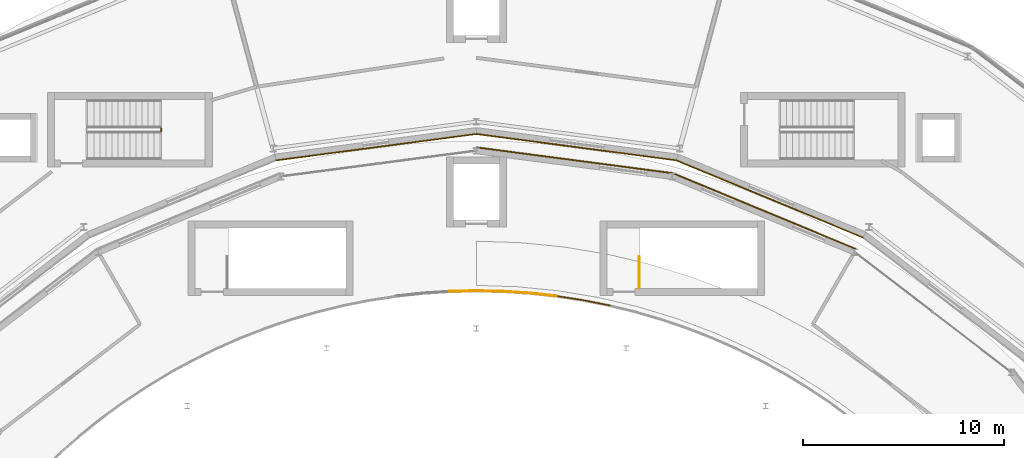
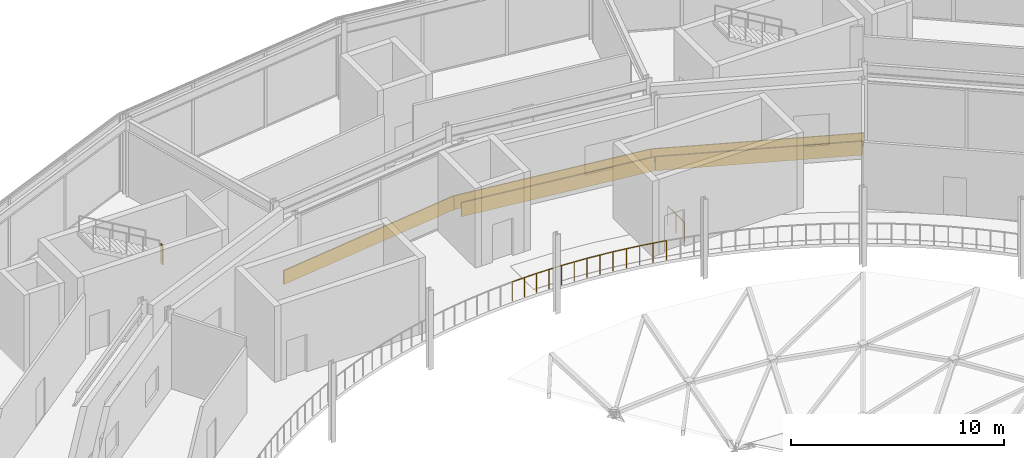
# One storey, part 109 of 116: 8 railings, 5 coverings.
"""IFC4 building model written with IfcOpenShell, lengths in metres."""

from ifc_helpers import new_model, si_unit, direction, frame, origin, origin_2d, place, context, subcontext, project, spatial, rectangle, circle, extrude, material, layer, layer_set, type_object, element, save


model = new_model("IFC4")

# Units and contexts
model_context = context("Model", 3, precision=1e-05, world=origin(), true_north=direction((0.0, 1.0)))
body_context = subcontext(model_context, "Body", "Model", "MODEL_VIEW")
ifc_project = project(units=[si_unit("LENGTHUNIT", "METRE"), si_unit("AREAUNIT", "SQUARE_METRE"), si_unit("VOLUMEUNIT", "CUBIC_METRE"), si_unit("PLANEANGLEUNIT", "RADIAN"), si_unit("MASSUNIT", "GRAM", prefix="KILO")], contexts=[model_context])

# Site, building, storey
site_placement = place(None, origin())
site = spatial("IfcSite", under=ifc_project, at=site_placement, CompositionType="ELEMENT")
building_placement = place(site_placement, origin())
building = spatial("IfcBuilding", under=site, at=building_placement, Name="Almandine Court Research Institute", CompositionType="ELEMENT")
storey_placement = place(building_placement, frame((0.0, 0.0, 14.35009765625)))
storey = spatial("IfcBuildingStorey", under=building, at=storey_placement, Name="L03", CompositionType="ELEMENT", Elevation=14.35009765625)

# Coverings
ifc_material_1 = material(Name="Extruded Cream-Ochre Seismic Terracotta Spandrel", Category="masonry")
ifc_layer = layer(ifc_material_1, 0.054931640625)
ifc_layer_set = layer_set([ifc_layer], Name="Extruded Cream-Ochre Seismic Terracotta Spandrel")
covering_type = type_object("IfcCoveringType", Name="Cov-CLAD-TERR", PredefinedType="CLADDING", material=ifc_layer_set)
for number, where, z_axis, x_axis, name in (
    (1, (101.60302734375, 91.25390625, 0.02001953125), (0.0, 0.0, 1.0), (-0.923879532511, 0.382683432365, 0.0), "L03 Facade Spandrel Cladding Band 383"),
    (2, (91.98095703125, 93.83203125, 0.02001953125), (0.0, 0.0, 1.0), (-0.991444861374, 0.13052619222, 0.0), "L03 Facade Spandrel Cladding Band 385"),
    (3, (82.01904296875, 93.83203125, 0.02001953125), (0.0, 0.0, 1.0), (-0.991444861374, -0.13052619222, 0.0), "L03 Facade Spandrel Cladding Band 387"),
):
    element("IfcCovering", number, at=place(storey_placement, frame(where, z_axis=z_axis, x_axis=x_axis)), inside=storey, type_object=covering_type, Name=name, PredefinedType="CLADDING", context=body_context, shape_type="SweptSolid", body=[
        extrude(rectangle(XDim=10.080078125, YDim=0.054931640625, at=origin_2d()), origin(), (0.0, 0.0, 1.0), 0.800048828125),
    ])
for number, where, z_axis, x_axis, name in (
    (4, (101.35009765625, 90.64404296875, 0.02001953125), (0.0, 0.0, 1.0), (0.923879532511, -0.382683432365, 0.0), "L03 Facade Spandrel Cladding Band 466"),
    (5, (91.89501953125, 93.177978515625, 0.02001953125), (0.0, 0.0, 1.0), (0.991444861374, -0.13052619222, 0.0), "L03 Facade Spandrel Cladding Band 467"),
):
    element("IfcCovering", number, at=place(storey_placement, frame(where, z_axis=z_axis, x_axis=x_axis)), inside=storey, type_object=covering_type, Name=name, PredefinedType="CLADDING", context=body_context, shape_type="SweptSolid", body=[
        extrude(rectangle(XDim=9.821044921875, YDim=0.054931640625, at=origin_2d()), origin(), (0.0, 0.0, 1.0), 0.800048828125),
    ])

# Railings
ifc_material_2 = material(Name="Powder-Coated Steel Stair and Atrium Balustrade", Category="steel")
railing_type = type_object("IfcRailingType", Name="Rail-GUARD-INT", PredefinedType="BALUSTRADE", material=ifc_material_2)
railing_1_placement = place(storey_placement, frame((95.10009765625, 86.800048828125, 0.0)))
element("IfcRailing", 6, at=railing_1_placement, inside=storey, type_object=railing_type, Name="L03 ST-03 top well guard 1", PredefinedType="BALUSTRADE", context=body_context, shape_type="SweptSolid", body=[
    extrude(circle(Radius=0.02392578125, at=origin_2d()), frame((0.0, 0.0, 1.09619140625), z_axis=(0.0, 1.0, 0.0), x_axis=(-1.0, 0.0, 0.0)), (0.0, 0.0, 1.0), 1.579833984375),
    extrude(circle(Radius=0.02099609375, at=origin_2d()), origin(), (0.0, 0.0, 1.0), 1.072021484375),
    extrude(circle(Radius=0.02099609375, at=origin_2d()), frame((0.0, 0.7900390625, 0.0)), (0.0, 0.0, 1.0), 1.072021484375),
    extrude(circle(Radius=0.02099609375, at=origin_2d()), frame((0.0, 1.579833984375, 0.0)), (0.0, 0.0, 1.0), 1.072021484375),
])
railing_2_placement = place(storey_placement, frame((71.300048828125, 94.6201171875, 2.27490234375)))
element("IfcRailing", 7, at=railing_2_placement, inside=storey, type_object=railing_type, Name="L03 ST-10 stair guard 2", PredefinedType="BALUSTRADE", context=body_context, shape_type="SweptSolid", body=[
    extrude(circle(Radius=0.02392578125, at=origin_2d()), frame((0.0, 0.0, 1.09619140625), z_axis=(0.0, 1.0, 0.0), x_axis=(-1.0, 0.0, 0.0)), (0.0, 0.0, 1.0), 0.159912109375),
    extrude(circle(Radius=0.02099609375, at=origin_2d()), origin(), (0.0, 0.0, 1.0), 1.072021484375),
    extrude(circle(Radius=0.02099609375, at=origin_2d()), frame((0.0, 0.159912109375, 0.0)), (0.0, 0.0, 1.0), 1.072021484375),
])
railing_3_placement = place(storey_placement, frame((93.639892578125, 85.952880859375, 0.0)))
element("IfcRailing", 8, at=railing_3_placement, inside=storey, type_object=railing_type, Name="L03 Atrium Gallery Void Balustrade 032", PredefinedType="BALUSTRADE", context=body_context, shape_type="SweptSolid", body=[
    extrude(circle(Radius=0.02392578125, at=origin_2d()), frame((0.0, 0.0, 1.09619140625), z_axis=(-0.980748774398, 0.19527376044, 0.0), x_axis=(-0.19527376044, -0.980748774398, 0.0)), (0.0, 0.0, 1.0), 1.337646484375),
    extrude(circle(Radius=0.02099609375, at=origin_2d()), origin(), (0.0, 0.0, 1.0), 1.072021484375),
    extrude(circle(Radius=0.02099609375, at=origin_2d()), frame((-0.656005859375, 0.130615234375, 0.0)), (0.0, 0.0, 1.0), 1.072021484375),
    extrude(circle(Radius=0.02099609375, at=origin_2d()), frame((-1.31201171875, 0.26123046875, 0.0)), (0.0, 0.0, 1.0), 1.072021484375),
])
railing_4_placement = place(storey_placement, frame((92.327880859375, 86.214111328125, 0.0)))
element("IfcRailing", 9, at=railing_4_placement, inside=storey, type_object=railing_type, Name="L03 Atrium Gallery Void Balustrade 033", PredefinedType="BALUSTRADE", context=body_context, shape_type="SweptSolid", body=[
    extrude(circle(Radius=0.02392578125, at=origin_2d()), frame((0.0, 0.0, 1.09619140625), z_axis=(-0.988335826047, 0.152290166959, 0.0), x_axis=(-0.152290166959, -0.988335826047, 0.0)), (0.0, 0.0, 1.0), 1.338623046875),
    extrude(circle(Radius=0.02099609375, at=origin_2d()), origin(), (0.0, 0.0, 1.0), 1.072021484375),
    extrude(circle(Radius=0.02099609375, at=origin_2d()), frame((-0.66162109375, 0.10205078125, 0.0)), (0.0, 0.0, 1.0), 1.072021484375),
    extrude(circle(Radius=0.02099609375, at=origin_2d()), frame((-1.322998046875, 0.203857421875, 0.0)), (0.0, 0.0, 1.0), 1.072021484375),
])
railing_5_placement = place(storey_placement, frame((91.0048828125, 86.41796875, 0.0)))
element("IfcRailing", 10, at=railing_5_placement, inside=storey, type_object=railing_type, Name="L03 Atrium Gallery Void Balustrade 034", PredefinedType="BALUSTRADE", context=body_context, shape_type="SweptSolid", body=[
    extrude(circle(Radius=0.02392578125, at=origin_2d()), frame((0.0, 0.0, 1.09619140625), z_axis=(-0.994115038789, 0.108329541926, 0.0), x_axis=(-0.108329541926, -0.994115038789, 0.0)), (0.0, 0.0, 1.0), 1.338623046875),
    extrude(circle(Radius=0.02099609375, at=origin_2d()), origin(), (0.0, 0.0, 1.0), 1.072021484375),
    extrude(circle(Radius=0.02099609375, at=origin_2d()), frame((-0.66552734375, 0.072509765625, 0.0)), (0.0, 0.0, 1.0), 1.072021484375),
    extrude(circle(Radius=0.02099609375, at=origin_2d()), frame((-1.330810546875, 0.14501953125, 0.0)), (0.0, 0.0, 1.0), 1.072021484375),
])
railing_6_placement = place(storey_placement, frame((89.674072265625, 86.56298828125, 0.0)))
element("IfcRailing", 11, at=railing_6_placement, inside=storey, type_object=railing_type, Name="L03 Atrium Gallery Void Balustrade 035", PredefinedType="BALUSTRADE", context=body_context, shape_type="SweptSolid", body=[
    extrude(circle(Radius=0.02392578125, at=origin_2d()), frame((0.0, 0.0, 1.09619140625), z_axis=(-0.997843658164, 0.065635614277, 0.0), x_axis=(-0.065635614277, -0.997843658164, 0.0)), (0.0, 0.0, 1.0), 1.339111328125),
    extrude(circle(Radius=0.02099609375, at=origin_2d()), origin(), (0.0, 0.0, 1.0), 1.072021484375),
    extrude(circle(Radius=0.02099609375, at=origin_2d()), frame((-0.66796875, 0.0439453125, 0.0)), (0.0, 0.0, 1.0), 1.072021484375),
    extrude(circle(Radius=0.02099609375, at=origin_2d()), frame((-1.336181640625, 0.087890625, 0.0)), (0.0, 0.0, 1.0), 1.072021484375),
])
railing_7_placement = place(storey_placement, frame((88.337890625, 86.65087890625, 0.0)))
element("IfcRailing", 12, at=railing_7_placement, inside=storey, type_object=railing_type, Name="L03 Atrium Gallery Void Balustrade 036", PredefinedType="BALUSTRADE", context=body_context, shape_type="SweptSolid", body=[
    extrude(circle(Radius=0.02392578125, at=origin_2d()), frame((0.0, 0.0, 1.09619140625), z_axis=(-0.999764305609, 0.021710210286, 0.0), x_axis=(-0.021710210286, -0.999764305609, 0.0)), (0.0, 0.0, 1.0), 1.338134765625),
    extrude(circle(Radius=0.02099609375, at=origin_2d()), origin(), (0.0, 0.0, 1.0), 1.072021484375),
    extrude(circle(Radius=0.02099609375, at=origin_2d()), frame((-0.6689453125, 0.0146484375, 0.0)), (0.0, 0.0, 1.0), 1.072021484375),
    extrude(circle(Radius=0.02099609375, at=origin_2d()), frame((-1.337890625, 0.029052734375, 0.0)), (0.0, 0.0, 1.0), 1.072021484375),
])
railing_8_placement = place(storey_placement, frame((87.0, 86.679931640625, 0.0)))
element("IfcRailing", 13, at=railing_8_placement, inside=storey, type_object=railing_type, Name="L03 Atrium Gallery Void Balustrade 037", PredefinedType="BALUSTRADE", context=body_context, shape_type="SweptSolid", body=[
    extrude(circle(Radius=0.02392578125, at=origin_2d()), frame((0.0, 0.0, 1.09619140625), z_axis=(-0.999764305609, -0.021710210286, 0.0), x_axis=(0.021710210286, -0.999764305609, 0.0)), (0.0, 0.0, 1.0), 1.338134765625),
    extrude(circle(Radius=0.02099609375, at=origin_2d()), origin(), (0.0, 0.0, 1.0), 1.072021484375),
    extrude(circle(Radius=0.02099609375, at=origin_2d()), frame((-0.6689453125, -0.0146484375, 0.0)), (0.0, 0.0, 1.0), 1.072021484375),
    extrude(circle(Radius=0.02099609375, at=origin_2d()), frame((-1.337890625, -0.029052734375, 0.0)), (0.0, 0.0, 1.0), 1.072021484375),
])

save(model, "model.ifc")
